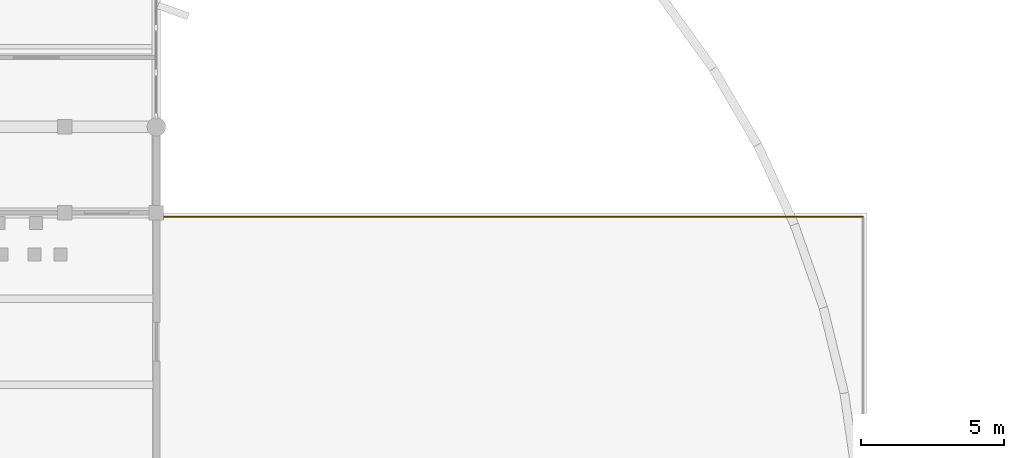
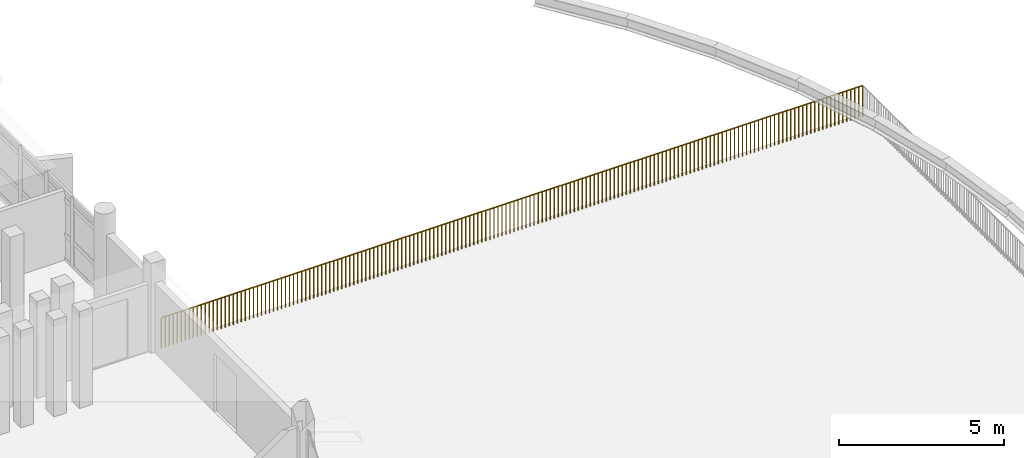
# One storey, part 92 of 92: 1 railing.
"""IFC4 building model written with IfcOpenShell, lengths in metres."""

from ifc_helpers import new_model, si_unit, direction, frame, origin, origin_2d, place, context, subcontext, project, spatial, circle, extrude, material, type_object, element, save


model = new_model("IFC4")

# Units and contexts
model_context = context("Model", 3, precision=1e-05, world=origin(), true_north=direction((0.0, 1.0)))
body_context = subcontext(model_context, "Body", "Model", "MODEL_VIEW")
ifc_project = project(units=[si_unit("LENGTHUNIT", "METRE"), si_unit("AREAUNIT", "SQUARE_METRE"), si_unit("VOLUMEUNIT", "CUBIC_METRE"), si_unit("PLANEANGLEUNIT", "RADIAN"), si_unit("MASSUNIT", "GRAM", prefix="KILO")], contexts=[model_context])

# Site, building, storey
site_placement = place(None, origin())
site = spatial("IfcSite", under=ifc_project, at=site_placement, CompositionType="ELEMENT")
building_placement = place(site_placement, origin())
building = spatial("IfcBuilding", under=site, at=building_placement, Name="Vanh Quang Courtyard School", CompositionType="ELEMENT")
storey_placement = place(building_placement, frame((0.0, 0.0, 7.800048828125)))
storey = spatial("IfcBuildingStorey", under=building, at=storey_placement, Name="L02", CompositionType="ELEMENT", Elevation=7.800048828125)

# Railing
ifc_material = material(Name="Galvanised painted steel EN 10025-2 S355J2", Category="steel")
railing_type = type_object("IfcRailingType", Name="RAIL-GUARD-1150", PredefinedType="BALUSTRADE", material=ifc_material)
railing_placement = place(storey_placement, frame((119.568115234375, 68.260009765625, 0.0)))
element("IfcRailing", 1, at=railing_placement, inside=storey, type_object=railing_type, Name="Railing GR-01 (L02)", PredefinedType="BALUSTRADE", context=body_context, shape_type="SweptSolid", body=[
    extrude(circle(Radius=0.02392578125, at=origin_2d()), frame((0.0, 0.0, 1.1259765625), z_axis=(1.0, 0.0, 0.0), x_axis=(0.0, 1.0, 0.0)), (0.0, 0.0, 1.0), 24.491943359375),
    extrude(circle(Radius=0.02099609375, at=origin_2d()), origin(), (0.0, 0.0, 1.0), 1.101806640625),
    extrude(circle(Radius=0.02099609375, at=origin_2d()), frame((0.139892578125, 0.0, 0.0)), (0.0, 0.0, 1.0), 1.101806640625),
    extrude(circle(Radius=0.02099609375, at=origin_2d()), frame((0.280029296875, 0.0, 0.0)), (0.0, 0.0, 1.0), 1.101806640625),
    extrude(circle(Radius=0.02099609375, at=origin_2d()), frame((0.419921875, 0.0, 0.0)), (0.0, 0.0, 1.0), 1.101806640625),
    extrude(circle(Radius=0.02099609375, at=origin_2d()), frame((0.559814453125, 0.0, 0.0)), (0.0, 0.0, 1.0), 1.101806640625),
    extrude(circle(Radius=0.02099609375, at=origin_2d()), frame((0.69970703125, 0.0, 0.0)), (0.0, 0.0, 1.0), 1.101806640625),
    extrude(circle(Radius=0.02099609375, at=origin_2d()), frame((0.83984375, 0.0, 0.0)), (0.0, 0.0, 1.0), 1.101806640625),
    extrude(circle(Radius=0.02099609375, at=origin_2d()), frame((0.979736328125, 0.0, 0.0)), (0.0, 0.0, 1.0), 1.101806640625),
    extrude(circle(Radius=0.02099609375, at=origin_2d()), frame((1.11962890625, 0.0, 0.0)), (0.0, 0.0, 1.0), 1.101806640625),
    extrude(circle(Radius=0.02099609375, at=origin_2d()), frame((1.259521484375, 0.0, 0.0)), (0.0, 0.0, 1.0), 1.101806640625),
    extrude(circle(Radius=0.02099609375, at=origin_2d()), frame((1.399658203125, 0.0, 0.0)), (0.0, 0.0, 1.0), 1.101806640625),
    extrude(circle(Radius=0.02099609375, at=origin_2d()), frame((1.53955078125, 0.0, 0.0)), (0.0, 0.0, 1.0), 1.101806640625),
    extrude(circle(Radius=0.02099609375, at=origin_2d()), frame((1.679443359375, 0.0, 0.0)), (0.0, 0.0, 1.0), 1.101806640625),
    extrude(circle(Radius=0.02099609375, at=origin_2d()), frame((1.8193359375, 0.0, 0.0)), (0.0, 0.0, 1.0), 1.101806640625),
    extrude(circle(Radius=0.02099609375, at=origin_2d()), frame((1.95947265625, 0.0, 0.0)), (0.0, 0.0, 1.0), 1.101806640625),
    extrude(circle(Radius=0.02099609375, at=origin_2d()), frame((2.099365234375, 0.0, 0.0)), (0.0, 0.0, 1.0), 1.101806640625),
    extrude(circle(Radius=0.02099609375, at=origin_2d()), frame((2.2392578125, 0.0, 0.0)), (0.0, 0.0, 1.0), 1.101806640625),
    extrude(circle(Radius=0.02099609375, at=origin_2d()), frame((2.379150390625, 0.0, 0.0)), (0.0, 0.0, 1.0), 1.101806640625),
    extrude(circle(Radius=0.02099609375, at=origin_2d()), frame((2.519287109375, 0.0, 0.0)), (0.0, 0.0, 1.0), 1.101806640625),
    extrude(circle(Radius=0.02099609375, at=origin_2d()), frame((2.6591796875, 0.0, 0.0)), (0.0, 0.0, 1.0), 1.101806640625),
    extrude(circle(Radius=0.02099609375, at=origin_2d()), frame((2.799072265625, 0.0, 0.0)), (0.0, 0.0, 1.0), 1.101806640625),
    extrude(circle(Radius=0.02099609375, at=origin_2d()), frame((2.93896484375, 0.0, 0.0)), (0.0, 0.0, 1.0), 1.101806640625),
    extrude(circle(Radius=0.02099609375, at=origin_2d()), frame((3.0791015625, 0.0, 0.0)), (0.0, 0.0, 1.0), 1.101806640625),
    extrude(circle(Radius=0.02099609375, at=origin_2d()), frame((3.218994140625, 0.0, 0.0)), (0.0, 0.0, 1.0), 1.101806640625),
    extrude(circle(Radius=0.02099609375, at=origin_2d()), frame((3.35888671875, 0.0, 0.0)), (0.0, 0.0, 1.0), 1.101806640625),
    extrude(circle(Radius=0.02099609375, at=origin_2d()), frame((3.498779296875, 0.0, 0.0)), (0.0, 0.0, 1.0), 1.101806640625),
    extrude(circle(Radius=0.02099609375, at=origin_2d()), frame((3.638916015625, 0.0, 0.0)), (0.0, 0.0, 1.0), 1.101806640625),
    extrude(circle(Radius=0.02099609375, at=origin_2d()), frame((3.77880859375, 0.0, 0.0)), (0.0, 0.0, 1.0), 1.101806640625),
    extrude(circle(Radius=0.02099609375, at=origin_2d()), frame((3.918701171875, 0.0, 0.0)), (0.0, 0.0, 1.0), 1.101806640625),
    extrude(circle(Radius=0.02099609375, at=origin_2d()), frame((4.05859375, 0.0, 0.0)), (0.0, 0.0, 1.0), 1.101806640625),
    extrude(circle(Radius=0.02099609375, at=origin_2d()), frame((4.19873046875, 0.0, 0.0)), (0.0, 0.0, 1.0), 1.101806640625),
    extrude(circle(Radius=0.02099609375, at=origin_2d()), frame((4.338623046875, 0.0, 0.0)), (0.0, 0.0, 1.0), 1.101806640625),
    extrude(circle(Radius=0.02099609375, at=origin_2d()), frame((4.478515625, 0.0, 0.0)), (0.0, 0.0, 1.0), 1.101806640625),
    extrude(circle(Radius=0.02099609375, at=origin_2d()), frame((4.618408203125, 0.0, 0.0)), (0.0, 0.0, 1.0), 1.101806640625),
    extrude(circle(Radius=0.02099609375, at=origin_2d()), frame((4.758544921875, 0.0, 0.0)), (0.0, 0.0, 1.0), 1.101806640625),
    extrude(circle(Radius=0.02099609375, at=origin_2d()), frame((4.8984375, 0.0, 0.0)), (0.0, 0.0, 1.0), 1.101806640625),
    extrude(circle(Radius=0.02099609375, at=origin_2d()), frame((5.038330078125, 0.0, 0.0)), (0.0, 0.0, 1.0), 1.101806640625),
    extrude(circle(Radius=0.02099609375, at=origin_2d()), frame((5.17822265625, 0.0, 0.0)), (0.0, 0.0, 1.0), 1.101806640625),
    extrude(circle(Radius=0.02099609375, at=origin_2d()), frame((5.318359375, 0.0, 0.0)), (0.0, 0.0, 1.0), 1.101806640625),
    extrude(circle(Radius=0.02099609375, at=origin_2d()), frame((5.458251953125, 0.0, 0.0)), (0.0, 0.0, 1.0), 1.101806640625),
    extrude(circle(Radius=0.02099609375, at=origin_2d()), frame((5.59814453125, 0.0, 0.0)), (0.0, 0.0, 1.0), 1.101806640625),
    extrude(circle(Radius=0.02099609375, at=origin_2d()), frame((5.738037109375, 0.0, 0.0)), (0.0, 0.0, 1.0), 1.101806640625),
    extrude(circle(Radius=0.02099609375, at=origin_2d()), frame((5.878173828125, 0.0, 0.0)), (0.0, 0.0, 1.0), 1.101806640625),
    extrude(circle(Radius=0.02099609375, at=origin_2d()), frame((6.01806640625, 0.0, 0.0)), (0.0, 0.0, 1.0), 1.101806640625),
    extrude(circle(Radius=0.02099609375, at=origin_2d()), frame((6.157958984375, 0.0, 0.0)), (0.0, 0.0, 1.0), 1.101806640625),
    extrude(circle(Radius=0.02099609375, at=origin_2d()), frame((6.2978515625, 0.0, 0.0)), (0.0, 0.0, 1.0), 1.101806640625),
    extrude(circle(Radius=0.02099609375, at=origin_2d()), frame((6.43798828125, 0.0, 0.0)), (0.0, 0.0, 1.0), 1.101806640625),
    extrude(circle(Radius=0.02099609375, at=origin_2d()), frame((6.577880859375, 0.0, 0.0)), (0.0, 0.0, 1.0), 1.101806640625),
    extrude(circle(Radius=0.02099609375, at=origin_2d()), frame((6.7177734375, 0.0, 0.0)), (0.0, 0.0, 1.0), 1.101806640625),
    extrude(circle(Radius=0.02099609375, at=origin_2d()), frame((6.857666015625, 0.0, 0.0)), (0.0, 0.0, 1.0), 1.101806640625),
    extrude(circle(Radius=0.02099609375, at=origin_2d()), frame((6.997802734375, 0.0, 0.0)), (0.0, 0.0, 1.0), 1.101806640625),
    extrude(circle(Radius=0.02099609375, at=origin_2d()), frame((7.1376953125, 0.0, 0.0)), (0.0, 0.0, 1.0), 1.101806640625),
    extrude(circle(Radius=0.02099609375, at=origin_2d()), frame((7.277587890625, 0.0, 0.0)), (0.0, 0.0, 1.0), 1.101806640625),
    extrude(circle(Radius=0.02099609375, at=origin_2d()), frame((7.41748046875, 0.0, 0.0)), (0.0, 0.0, 1.0), 1.101806640625),
    extrude(circle(Radius=0.02099609375, at=origin_2d()), frame((7.5576171875, 0.0, 0.0)), (0.0, 0.0, 1.0), 1.101806640625),
    extrude(circle(Radius=0.02099609375, at=origin_2d()), frame((7.697509765625, 0.0, 0.0)), (0.0, 0.0, 1.0), 1.101806640625),
    extrude(circle(Radius=0.02099609375, at=origin_2d()), frame((7.83740234375, 0.0, 0.0)), (0.0, 0.0, 1.0), 1.101806640625),
    extrude(circle(Radius=0.02099609375, at=origin_2d()), frame((7.977294921875, 0.0, 0.0)), (0.0, 0.0, 1.0), 1.101806640625),
    extrude(circle(Radius=0.02099609375, at=origin_2d()), frame((8.117431640625, 0.0, 0.0)), (0.0, 0.0, 1.0), 1.101806640625),
    extrude(circle(Radius=0.02099609375, at=origin_2d()), frame((8.25732421875, 0.0, 0.0)), (0.0, 0.0, 1.0), 1.101806640625),
    extrude(circle(Radius=0.02099609375, at=origin_2d()), frame((8.397216796875, 0.0, 0.0)), (0.0, 0.0, 1.0), 1.101806640625),
    extrude(circle(Radius=0.02099609375, at=origin_2d()), frame((8.537109375, 0.0, 0.0)), (0.0, 0.0, 1.0), 1.101806640625),
    extrude(circle(Radius=0.02099609375, at=origin_2d()), frame((8.67724609375, 0.0, 0.0)), (0.0, 0.0, 1.0), 1.101806640625),
    extrude(circle(Radius=0.02099609375, at=origin_2d()), frame((8.817138671875, 0.0, 0.0)), (0.0, 0.0, 1.0), 1.101806640625),
    extrude(circle(Radius=0.02099609375, at=origin_2d()), frame((8.95703125, 0.0, 0.0)), (0.0, 0.0, 1.0), 1.101806640625),
    extrude(circle(Radius=0.02099609375, at=origin_2d()), frame((9.096923828125, 0.0, 0.0)), (0.0, 0.0, 1.0), 1.101806640625),
    extrude(circle(Radius=0.02099609375, at=origin_2d()), frame((9.237060546875, 0.0, 0.0)), (0.0, 0.0, 1.0), 1.101806640625),
    extrude(circle(Radius=0.02099609375, at=origin_2d()), frame((9.376953125, 0.0, 0.0)), (0.0, 0.0, 1.0), 1.101806640625),
    extrude(circle(Radius=0.02099609375, at=origin_2d()), frame((9.516845703125, 0.0, 0.0)), (0.0, 0.0, 1.0), 1.101806640625),
    extrude(circle(Radius=0.02099609375, at=origin_2d()), frame((9.65673828125, 0.0, 0.0)), (0.0, 0.0, 1.0), 1.101806640625),
    extrude(circle(Radius=0.02099609375, at=origin_2d()), frame((9.796875, 0.0, 0.0)), (0.0, 0.0, 1.0), 1.101806640625),
    extrude(circle(Radius=0.02099609375, at=origin_2d()), frame((9.936767578125, 0.0, 0.0)), (0.0, 0.0, 1.0), 1.101806640625),
    extrude(circle(Radius=0.02099609375, at=origin_2d()), frame((10.07666015625, 0.0, 0.0)), (0.0, 0.0, 1.0), 1.101806640625),
    extrude(circle(Radius=0.02099609375, at=origin_2d()), frame((10.216552734375, 0.0, 0.0)), (0.0, 0.0, 1.0), 1.101806640625),
    extrude(circle(Radius=0.02099609375, at=origin_2d()), frame((10.356689453125, 0.0, 0.0)), (0.0, 0.0, 1.0), 1.101806640625),
    extrude(circle(Radius=0.02099609375, at=origin_2d()), frame((10.49658203125, 0.0, 0.0)), (0.0, 0.0, 1.0), 1.101806640625),
    extrude(circle(Radius=0.02099609375, at=origin_2d()), frame((10.636474609375, 0.0, 0.0)), (0.0, 0.0, 1.0), 1.101806640625),
    extrude(circle(Radius=0.02099609375, at=origin_2d()), frame((10.7763671875, 0.0, 0.0)), (0.0, 0.0, 1.0), 1.101806640625),
    extrude(circle(Radius=0.02099609375, at=origin_2d()), frame((10.91650390625, 0.0, 0.0)), (0.0, 0.0, 1.0), 1.101806640625),
    extrude(circle(Radius=0.02099609375, at=origin_2d()), frame((11.056396484375, 0.0, 0.0)), (0.0, 0.0, 1.0), 1.101806640625),
    extrude(circle(Radius=0.02099609375, at=origin_2d()), frame((11.1962890625, 0.0, 0.0)), (0.0, 0.0, 1.0), 1.101806640625),
    extrude(circle(Radius=0.02099609375, at=origin_2d()), frame((11.336181640625, 0.0, 0.0)), (0.0, 0.0, 1.0), 1.101806640625),
    extrude(circle(Radius=0.02099609375, at=origin_2d()), frame((11.476318359375, 0.0, 0.0)), (0.0, 0.0, 1.0), 1.101806640625),
    extrude(circle(Radius=0.02099609375, at=origin_2d()), frame((11.6162109375, 0.0, 0.0)), (0.0, 0.0, 1.0), 1.101806640625),
    extrude(circle(Radius=0.02099609375, at=origin_2d()), frame((11.756103515625, 0.0, 0.0)), (0.0, 0.0, 1.0), 1.101806640625),
    extrude(circle(Radius=0.02099609375, at=origin_2d()), frame((11.89599609375, 0.0, 0.0)), (0.0, 0.0, 1.0), 1.101806640625),
    extrude(circle(Radius=0.02099609375, at=origin_2d()), frame((12.0361328125, 0.0, 0.0)), (0.0, 0.0, 1.0), 1.101806640625),
    extrude(circle(Radius=0.02099609375, at=origin_2d()), frame((12.176025390625, 0.0, 0.0)), (0.0, 0.0, 1.0), 1.101806640625),
    extrude(circle(Radius=0.02099609375, at=origin_2d()), frame((12.31591796875, 0.0, 0.0)), (0.0, 0.0, 1.0), 1.101806640625),
    extrude(circle(Radius=0.02099609375, at=origin_2d()), frame((12.455810546875, 0.0, 0.0)), (0.0, 0.0, 1.0), 1.101806640625),
    extrude(circle(Radius=0.02099609375, at=origin_2d()), frame((12.595947265625, 0.0, 0.0)), (0.0, 0.0, 1.0), 1.101806640625),
    extrude(circle(Radius=0.02099609375, at=origin_2d()), frame((12.73583984375, 0.0, 0.0)), (0.0, 0.0, 1.0), 1.101806640625),
    extrude(circle(Radius=0.02099609375, at=origin_2d()), frame((12.875732421875, 0.0, 0.0)), (0.0, 0.0, 1.0), 1.101806640625),
    extrude(circle(Radius=0.02099609375, at=origin_2d()), frame((13.015625, 0.0, 0.0)), (0.0, 0.0, 1.0), 1.101806640625),
    extrude(circle(Radius=0.02099609375, at=origin_2d()), frame((13.15576171875, 0.0, 0.0)), (0.0, 0.0, 1.0), 1.101806640625),
    extrude(circle(Radius=0.02099609375, at=origin_2d()), frame((13.295654296875, 0.0, 0.0)), (0.0, 0.0, 1.0), 1.101806640625),
    extrude(circle(Radius=0.02099609375, at=origin_2d()), frame((13.435546875, 0.0, 0.0)), (0.0, 0.0, 1.0), 1.101806640625),
    extrude(circle(Radius=0.02099609375, at=origin_2d()), frame((13.575439453125, 0.0, 0.0)), (0.0, 0.0, 1.0), 1.101806640625),
    extrude(circle(Radius=0.02099609375, at=origin_2d()), frame((13.715576171875, 0.0, 0.0)), (0.0, 0.0, 1.0), 1.101806640625),
    extrude(circle(Radius=0.02099609375, at=origin_2d()), frame((13.85546875, 0.0, 0.0)), (0.0, 0.0, 1.0), 1.101806640625),
    extrude(circle(Radius=0.02099609375, at=origin_2d()), frame((13.995361328125, 0.0, 0.0)), (0.0, 0.0, 1.0), 1.101806640625),
    extrude(circle(Radius=0.02099609375, at=origin_2d()), frame((14.13525390625, 0.0, 0.0)), (0.0, 0.0, 1.0), 1.101806640625),
    extrude(circle(Radius=0.02099609375, at=origin_2d()), frame((14.275390625, 0.0, 0.0)), (0.0, 0.0, 1.0), 1.101806640625),
    extrude(circle(Radius=0.02099609375, at=origin_2d()), frame((14.415283203125, 0.0, 0.0)), (0.0, 0.0, 1.0), 1.101806640625),
    extrude(circle(Radius=0.02099609375, at=origin_2d()), frame((14.55517578125, 0.0, 0.0)), (0.0, 0.0, 1.0), 1.101806640625),
    extrude(circle(Radius=0.02099609375, at=origin_2d()), frame((14.695068359375, 0.0, 0.0)), (0.0, 0.0, 1.0), 1.101806640625),
    extrude(circle(Radius=0.02099609375, at=origin_2d()), frame((14.835205078125, 0.0, 0.0)), (0.0, 0.0, 1.0), 1.101806640625),
    extrude(circle(Radius=0.02099609375, at=origin_2d()), frame((14.97509765625, 0.0, 0.0)), (0.0, 0.0, 1.0), 1.101806640625),
    extrude(circle(Radius=0.02099609375, at=origin_2d()), frame((15.114990234375, 0.0, 0.0)), (0.0, 0.0, 1.0), 1.101806640625),
    extrude(circle(Radius=0.02099609375, at=origin_2d()), frame((15.2548828125, 0.0, 0.0)), (0.0, 0.0, 1.0), 1.101806640625),
    extrude(circle(Radius=0.02099609375, at=origin_2d()), frame((15.39501953125, 0.0, 0.0)), (0.0, 0.0, 1.0), 1.101806640625),
    extrude(circle(Radius=0.02099609375, at=origin_2d()), frame((15.534912109375, 0.0, 0.0)), (0.0, 0.0, 1.0), 1.101806640625),
    extrude(circle(Radius=0.02099609375, at=origin_2d()), frame((15.6748046875, 0.0, 0.0)), (0.0, 0.0, 1.0), 1.101806640625),
    extrude(circle(Radius=0.02099609375, at=origin_2d()), frame((15.814697265625, 0.0, 0.0)), (0.0, 0.0, 1.0), 1.101806640625),
    extrude(circle(Radius=0.02099609375, at=origin_2d()), frame((15.954833984375, 0.0, 0.0)), (0.0, 0.0, 1.0), 1.101806640625),
    extrude(circle(Radius=0.02099609375, at=origin_2d()), frame((16.0947265625, 0.0, 0.0)), (0.0, 0.0, 1.0), 1.101806640625),
    extrude(circle(Radius=0.02099609375, at=origin_2d()), frame((16.234619140625, 0.0, 0.0)), (0.0, 0.0, 1.0), 1.101806640625),
    extrude(circle(Radius=0.02099609375, at=origin_2d()), frame((16.37451171875, 0.0, 0.0)), (0.0, 0.0, 1.0), 1.101806640625),
    extrude(circle(Radius=0.02099609375, at=origin_2d()), frame((16.5146484375, 0.0, 0.0)), (0.0, 0.0, 1.0), 1.101806640625),
    extrude(circle(Radius=0.02099609375, at=origin_2d()), frame((16.654541015625, 0.0, 0.0)), (0.0, 0.0, 1.0), 1.101806640625),
    extrude(circle(Radius=0.02099609375, at=origin_2d()), frame((16.79443359375, 0.0, 0.0)), (0.0, 0.0, 1.0), 1.101806640625),
    extrude(circle(Radius=0.02099609375, at=origin_2d()), frame((16.934326171875, 0.0, 0.0)), (0.0, 0.0, 1.0), 1.101806640625),
    extrude(circle(Radius=0.02099609375, at=origin_2d()), frame((17.074462890625, 0.0, 0.0)), (0.0, 0.0, 1.0), 1.101806640625),
    extrude(circle(Radius=0.02099609375, at=origin_2d()), frame((17.21435546875, 0.0, 0.0)), (0.0, 0.0, 1.0), 1.101806640625),
    extrude(circle(Radius=0.02099609375, at=origin_2d()), frame((17.354248046875, 0.0, 0.0)), (0.0, 0.0, 1.0), 1.101806640625),
    extrude(circle(Radius=0.02099609375, at=origin_2d()), frame((17.494140625, 0.0, 0.0)), (0.0, 0.0, 1.0), 1.101806640625),
    extrude(circle(Radius=0.02099609375, at=origin_2d()), frame((17.63427734375, 0.0, 0.0)), (0.0, 0.0, 1.0), 1.101806640625),
    extrude(circle(Radius=0.02099609375, at=origin_2d()), frame((17.774169921875, 0.0, 0.0)), (0.0, 0.0, 1.0), 1.101806640625),
    extrude(circle(Radius=0.02099609375, at=origin_2d()), frame((17.9140625, 0.0, 0.0)), (0.0, 0.0, 1.0), 1.101806640625),
    extrude(circle(Radius=0.02099609375, at=origin_2d()), frame((18.053955078125, 0.0, 0.0)), (0.0, 0.0, 1.0), 1.101806640625),
    extrude(circle(Radius=0.02099609375, at=origin_2d()), frame((18.194091796875, 0.0, 0.0)), (0.0, 0.0, 1.0), 1.101806640625),
    extrude(circle(Radius=0.02099609375, at=origin_2d()), frame((18.333984375, 0.0, 0.0)), (0.0, 0.0, 1.0), 1.101806640625),
    extrude(circle(Radius=0.02099609375, at=origin_2d()), frame((18.473876953125, 0.0, 0.0)), (0.0, 0.0, 1.0), 1.101806640625),
    extrude(circle(Radius=0.02099609375, at=origin_2d()), frame((18.61376953125, 0.0, 0.0)), (0.0, 0.0, 1.0), 1.101806640625),
    extrude(circle(Radius=0.02099609375, at=origin_2d()), frame((18.75390625, 0.0, 0.0)), (0.0, 0.0, 1.0), 1.101806640625),
    extrude(circle(Radius=0.02099609375, at=origin_2d()), frame((18.893798828125, 0.0, 0.0)), (0.0, 0.0, 1.0), 1.101806640625),
    extrude(circle(Radius=0.02099609375, at=origin_2d()), frame((19.03369140625, 0.0, 0.0)), (0.0, 0.0, 1.0), 1.101806640625),
    extrude(circle(Radius=0.02099609375, at=origin_2d()), frame((19.173583984375, 0.0, 0.0)), (0.0, 0.0, 1.0), 1.101806640625),
    extrude(circle(Radius=0.02099609375, at=origin_2d()), frame((19.313720703125, 0.0, 0.0)), (0.0, 0.0, 1.0), 1.101806640625),
    extrude(circle(Radius=0.02099609375, at=origin_2d()), frame((19.45361328125, 0.0, 0.0)), (0.0, 0.0, 1.0), 1.101806640625),
    extrude(circle(Radius=0.02099609375, at=origin_2d()), frame((19.593505859375, 0.0, 0.0)), (0.0, 0.0, 1.0), 1.101806640625),
    extrude(circle(Radius=0.02099609375, at=origin_2d()), frame((19.7333984375, 0.0, 0.0)), (0.0, 0.0, 1.0), 1.101806640625),
    extrude(circle(Radius=0.02099609375, at=origin_2d()), frame((19.87353515625, 0.0, 0.0)), (0.0, 0.0, 1.0), 1.101806640625),
    extrude(circle(Radius=0.02099609375, at=origin_2d()), frame((20.013427734375, 0.0, 0.0)), (0.0, 0.0, 1.0), 1.101806640625),
    extrude(circle(Radius=0.02099609375, at=origin_2d()), frame((20.1533203125, 0.0, 0.0)), (0.0, 0.0, 1.0), 1.101806640625),
    extrude(circle(Radius=0.02099609375, at=origin_2d()), frame((20.293212890625, 0.0, 0.0)), (0.0, 0.0, 1.0), 1.101806640625),
    extrude(circle(Radius=0.02099609375, at=origin_2d()), frame((20.433349609375, 0.0, 0.0)), (0.0, 0.0, 1.0), 1.101806640625),
    extrude(circle(Radius=0.02099609375, at=origin_2d()), frame((20.5732421875, 0.0, 0.0)), (0.0, 0.0, 1.0), 1.101806640625),
    extrude(circle(Radius=0.02099609375, at=origin_2d()), frame((20.713134765625, 0.0, 0.0)), (0.0, 0.0, 1.0), 1.101806640625),
    extrude(circle(Radius=0.02099609375, at=origin_2d()), frame((20.85302734375, 0.0, 0.0)), (0.0, 0.0, 1.0), 1.101806640625),
    extrude(circle(Radius=0.02099609375, at=origin_2d()), frame((20.9931640625, 0.0, 0.0)), (0.0, 0.0, 1.0), 1.101806640625),
    extrude(circle(Radius=0.02099609375, at=origin_2d()), frame((21.133056640625, 0.0, 0.0)), (0.0, 0.0, 1.0), 1.101806640625),
    extrude(circle(Radius=0.02099609375, at=origin_2d()), frame((21.27294921875, 0.0, 0.0)), (0.0, 0.0, 1.0), 1.101806640625),
    extrude(circle(Radius=0.02099609375, at=origin_2d()), frame((21.412841796875, 0.0, 0.0)), (0.0, 0.0, 1.0), 1.101806640625),
    extrude(circle(Radius=0.02099609375, at=origin_2d()), frame((21.552978515625, 0.0, 0.0)), (0.0, 0.0, 1.0), 1.101806640625),
    extrude(circle(Radius=0.02099609375, at=origin_2d()), frame((21.69287109375, 0.0, 0.0)), (0.0, 0.0, 1.0), 1.101806640625),
    extrude(circle(Radius=0.02099609375, at=origin_2d()), frame((21.832763671875, 0.0, 0.0)), (0.0, 0.0, 1.0), 1.101806640625),
    extrude(circle(Radius=0.02099609375, at=origin_2d()), frame((21.97265625, 0.0, 0.0)), (0.0, 0.0, 1.0), 1.101806640625),
    extrude(circle(Radius=0.02099609375, at=origin_2d()), frame((22.11279296875, 0.0, 0.0)), (0.0, 0.0, 1.0), 1.101806640625),
    extrude(circle(Radius=0.02099609375, at=origin_2d()), frame((22.252685546875, 0.0, 0.0)), (0.0, 0.0, 1.0), 1.101806640625),
    extrude(circle(Radius=0.02099609375, at=origin_2d()), frame((22.392578125, 0.0, 0.0)), (0.0, 0.0, 1.0), 1.101806640625),
    extrude(circle(Radius=0.02099609375, at=origin_2d()), frame((22.532470703125, 0.0, 0.0)), (0.0, 0.0, 1.0), 1.101806640625),
    extrude(circle(Radius=0.02099609375, at=origin_2d()), frame((22.672607421875, 0.0, 0.0)), (0.0, 0.0, 1.0), 1.101806640625),
    extrude(circle(Radius=0.02099609375, at=origin_2d()), frame((22.8125, 0.0, 0.0)), (0.0, 0.0, 1.0), 1.101806640625),
    extrude(circle(Radius=0.02099609375, at=origin_2d()), frame((22.952392578125, 0.0, 0.0)), (0.0, 0.0, 1.0), 1.101806640625),
    extrude(circle(Radius=0.02099609375, at=origin_2d()), frame((23.09228515625, 0.0, 0.0)), (0.0, 0.0, 1.0), 1.101806640625),
    extrude(circle(Radius=0.02099609375, at=origin_2d()), frame((23.232421875, 0.0, 0.0)), (0.0, 0.0, 1.0), 1.101806640625),
    extrude(circle(Radius=0.02099609375, at=origin_2d()), frame((23.372314453125, 0.0, 0.0)), (0.0, 0.0, 1.0), 1.101806640625),
    extrude(circle(Radius=0.02099609375, at=origin_2d()), frame((23.51220703125, 0.0, 0.0)), (0.0, 0.0, 1.0), 1.101806640625),
    extrude(circle(Radius=0.02099609375, at=origin_2d()), frame((23.652099609375, 0.0, 0.0)), (0.0, 0.0, 1.0), 1.101806640625),
    extrude(circle(Radius=0.02099609375, at=origin_2d()), frame((23.792236328125, 0.0, 0.0)), (0.0, 0.0, 1.0), 1.101806640625),
    extrude(circle(Radius=0.02099609375, at=origin_2d()), frame((23.93212890625, 0.0, 0.0)), (0.0, 0.0, 1.0), 1.101806640625),
    extrude(circle(Radius=0.02099609375, at=origin_2d()), frame((24.072021484375, 0.0, 0.0)), (0.0, 0.0, 1.0), 1.101806640625),
    extrude(circle(Radius=0.02099609375, at=origin_2d()), frame((24.2119140625, 0.0, 0.0)), (0.0, 0.0, 1.0), 1.101806640625),
    extrude(circle(Radius=0.02099609375, at=origin_2d()), frame((24.35205078125, 0.0, 0.0)), (0.0, 0.0, 1.0), 1.101806640625),
    extrude(circle(Radius=0.02099609375, at=origin_2d()), frame((24.491943359375, 0.0, 0.0)), (0.0, 0.0, 1.0), 1.101806640625),
])

save(model, "model.ifc")
